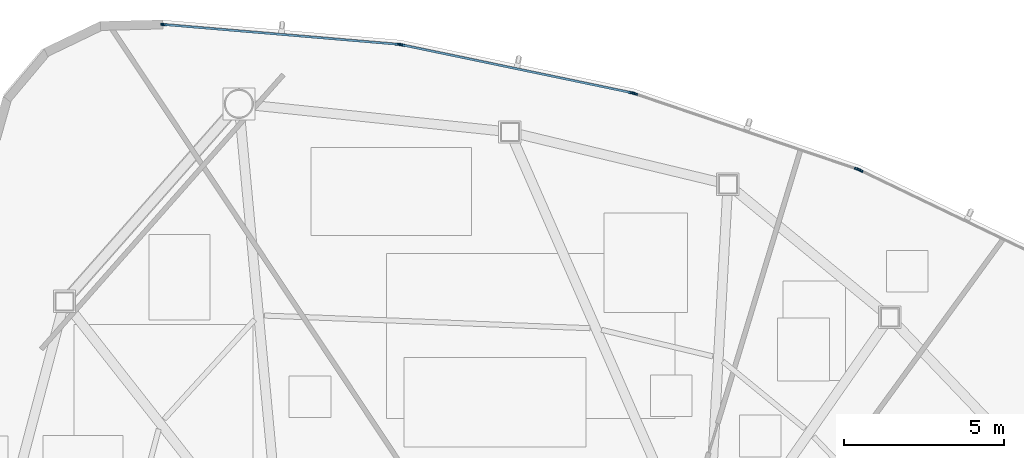
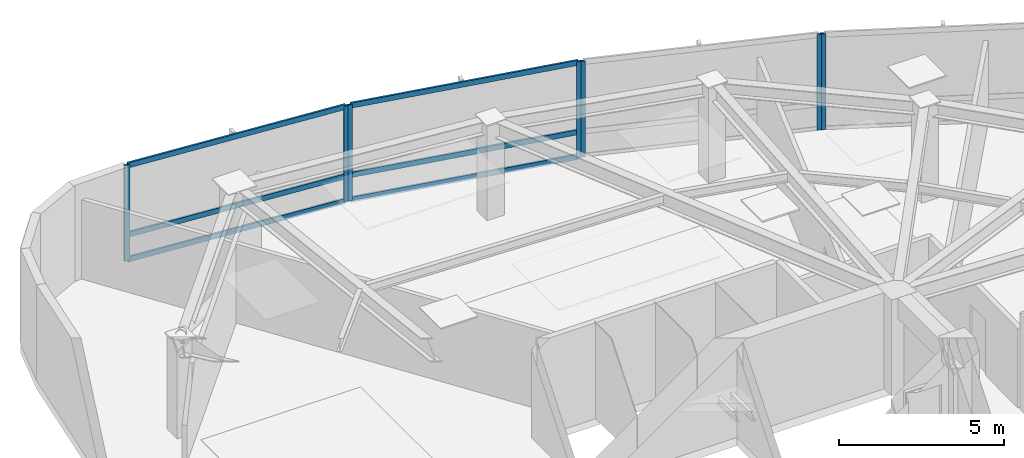
# One storey, part 8 of 17: 13 members, 4 elements without a shape of their own.
"""IFC4 building model written with IfcOpenShell, lengths in metres."""

from ifc_helpers import new_model, si_unit, direction, frame, origin, origin_2d, place, context, subcontext, project, spatial, hollow_rectangle, extrude, source, transform, mapped, material, layer, layer_set, material_profile, profile_set, type_object, type_shapes, element, aggregate, save


model = new_model("IFC4")

# Units and contexts
model_context = context("Model", 3, precision=1e-05, world=origin(), true_north=direction((0.0, 1.0)))
body_context = subcontext(model_context, "Body", "Model", "MODEL_VIEW")
ifc_project = project(units=[si_unit("LENGTHUNIT", "METRE"), si_unit("AREAUNIT", "SQUARE_METRE"), si_unit("VOLUMEUNIT", "CUBIC_METRE"), si_unit("PLANEANGLEUNIT", "RADIAN"), si_unit("MASSUNIT", "GRAM", prefix="KILO")], contexts=[model_context])

# Site, building, storey
site_placement = place(None, origin())
site = spatial("IfcSite", under=ifc_project, at=site_placement, CompositionType="ELEMENT")
building_placement = place(site_placement, origin())
building = spatial("IfcBuilding", under=site, at=building_placement, Name="Tavelor Broadcast Tower", CompositionType="ELEMENT")
storey_placement = place(building_placement, frame((0.0, 0.0, 192.60009765625)))
storey = spatial("IfcBuildingStorey", under=building, at=storey_placement, Name="L46", CompositionType="ELEMENT", Elevation=192.60009765625)

# Curtain wall, member
ifc_material = material(Name="Architectural Anodized Aluminium", Category="aluminium")
ifc_layer = layer(ifc_material, 0.18994140625)
ifc_layer_set = layer_set([ifc_layer], Name="Architectural Anodized Aluminium")
curtain_wall_type = type_object("IfcCurtainWallType", Name="Tower Mid-Zone Acoustic Curtain Wall CW03", PredefinedType="NOTDEFINED", material=ifc_layer_set)
curtain_wall_1_placement = place(storey_placement, origin())
curtain_wall_1 = element("IfcCurtainWall", 1, at=curtain_wall_1_placement, inside=storey, type_object=curtain_wall_type, Name="L46 Curtain Wall CW03 Run 501", PredefinedType="NOTDEFINED")
ifc_material_profile_1 = material_profile(ifc_material, hollow_rectangle(XDim=0.068115234375, YDim=0.18994140625, WallThickness=0.02197265625, at=origin_2d()), Name="RHS 68x190x22")
ifc_profile_set_1 = profile_set([ifc_material_profile_1], Name="Architectural Anodized Aluminium")
member_type_1 = type_object("IfcMemberType", Name="CW03 Extruded Aluminium Mullion 68x190", PredefinedType="MULLION", material=ifc_profile_set_1)
shared_shape_1 = source(origin(), body_context, "Body", "SweptSolid", [
    extrude(hollow_rectangle(XDim=0.068115234375, YDim=0.18994140625, WallThickness=0.02197265625, at=origin_2d()), origin(), (0.0, 0.0, 1.0), 3.5498046875),
])
type_shapes(member_type_1, [shared_shape_1])
member_1_placement = place(storey_placement, frame((61.408935546875, 64.005859375, 0.0), z_axis=(0.0, 0.0, 1.0), x_axis=(-0.433259707065, -0.90126911976, 0.0)))
member_1 = element("IfcMember", 2, at=member_1_placement, type_object=member_type_1, Name="CW03 mullion 2", PredefinedType="MULLION", context=body_context, shape_type="MappedRepresentation", body=[
    mapped(shared_shape_1, transform((0.0, 0.0, 0.0), scale=1.0)),
])
aggregate(curtain_wall_1, [member_1])

# Curtain wall, members
curtain_wall_2_placement = place(storey_placement, origin())
curtain_wall_2 = element("IfcCurtainWall", 3, at=curtain_wall_2_placement, inside=storey, type_object=curtain_wall_type, Name="L46 Curtain Wall CW03 Run 502", PredefinedType="NOTDEFINED")
member_2_placement = place(storey_placement, frame((61.318359375, 64.042724609375, 0.0), z_axis=(0.0, 0.0, 1.0), x_axis=(-0.321023476688, -0.947071236716, 0.0)))
member_2 = element("IfcMember", 4, at=member_2_placement, type_object=member_type_1, Name="CW03 mullion 1", PredefinedType="MULLION", context=body_context, shape_type="MappedRepresentation", body=[
    mapped(shared_shape_1, transform((0.0, 0.0, 0.0), scale=1.0)),
])
member_3_placement = place(storey_placement, frame((54.3681640625, 66.398681640625, 0.0), z_axis=(0.0, 0.0, 1.0), x_axis=(-0.321023476688, -0.947071236716, 0.0)))
member_3 = element("IfcMember", 5, at=member_3_placement, type_object=member_type_1, Name="CW03 mullion 2", PredefinedType="MULLION", context=body_context, shape_type="MappedRepresentation", body=[
    mapped(shared_shape_1, transform((0.0, 0.0, 0.0), scale=1.0)),
])
aggregate(curtain_wall_2, [member_2, member_3])

curtain_wall_3_placement = place(storey_placement, origin())
curtain_wall_3 = element("IfcCurtainWall", 6, at=curtain_wall_3_placement, inside=storey, type_object=curtain_wall_type, Name="L46 Curtain Wall CW03 Run 503", PredefinedType="NOTDEFINED")
member_4_placement = place(storey_placement, frame((54.27392578125, 66.42431640625, 0.0), z_axis=(0.0, 0.0, 1.0), x_axis=(-0.20405992765, -0.978958398466, 0.0)))
member_4 = element("IfcMember", 7, at=member_4_placement, type_object=member_type_1, Name="CW03 mullion 1", PredefinedType="MULLION", context=body_context, shape_type="MappedRepresentation", body=[
    mapped(shared_shape_1, transform((0.0, 0.0, 0.0), scale=1.0)),
])
member_5_placement = place(storey_placement, frame((47.089599609375, 67.921875, 0.0), z_axis=(0.0, 0.0, 1.0), x_axis=(-0.20405992765, -0.978958398466, 0.0)))
member_5 = element("IfcMember", 8, at=member_5_placement, type_object=member_type_1, Name="CW03 mullion 2", PredefinedType="MULLION", context=body_context, shape_type="MappedRepresentation", body=[
    mapped(shared_shape_1, transform((0.0, 0.0, 0.0), scale=1.0)),
])

curtain_wall_4_placement = place(storey_placement, origin())
curtain_wall_4 = element("IfcCurtainWall", 9, at=curtain_wall_4_placement, inside=storey, type_object=curtain_wall_type, Name="L46 Curtain Wall CW03 Run 504", PredefinedType="NOTDEFINED")
member_6_placement = place(storey_placement, frame((46.992919921875, 67.93603515625, 0.0), z_axis=(0.0, 0.0, 1.0), x_axis=(-0.084081230052, -0.996458903695, 0.0)))
member_6 = element("IfcMember", 10, at=member_6_placement, type_object=member_type_1, Name="CW03 mullion 1", PredefinedType="MULLION", context=body_context, shape_type="MappedRepresentation", body=[
    mapped(shared_shape_1, transform((0.0, 0.0, 0.0), scale=1.0)),
])
member_7_placement = place(storey_placement, frame((39.664306640625, 68.554443359375, 0.0), z_axis=(0.0, 0.0, 1.0), x_axis=(-0.084081230052, -0.996458903695, 0.0)))
member_7 = element("IfcMember", 11, at=member_7_placement, type_object=member_type_1, Name="CW03 mullion 2", PredefinedType="MULLION", context=body_context, shape_type="MappedRepresentation", body=[
    mapped(shared_shape_1, transform((0.0, 0.0, 0.0), scale=1.0)),
])

# Member
ifc_material_profile_2 = material_profile(ifc_material, hollow_rectangle(XDim=0.068115234375, YDim=0.18994140625, WallThickness=0.02197265625, at=origin_2d()), Name="RHS 68x190x22")
ifc_profile_set_2 = profile_set([ifc_material_profile_2], Name="Architectural Anodized Aluminium")
member_type_2 = type_object("IfcMemberType", Name="CW03 Extruded Aluminium Transom 68x190", PredefinedType="USERDEFINED", material=ifc_profile_set_2)
shared_shape_2 = source(origin(), body_context, "Body", "SweptSolid", [
    extrude(hollow_rectangle(XDim=0.068115234375, YDim=0.18994140625, WallThickness=0.02197265625, at=origin_2d()), origin(), (0.0, 0.0, 1.0), 7.270751953125),
])
member_8_placement = place(storey_placement, frame((54.240478515625, 66.431396484375, 0.033935546875), z_axis=(-0.978958624196, 0.204058844729, 0.0), x_axis=(-0.204058844729, -0.978958624196, 0.0)))
member_8 = element("IfcMember", 12, at=member_8_placement, type_object=member_type_2, Name="CW03 transom 1.1", ObjectType="TRANSOM", PredefinedType="USERDEFINED", context=body_context, shape_type="MappedRepresentation", body=[
    mapped(shared_shape_2, transform((0.0, 0.0, 0.0), scale=1.0)),
])

member_9_placement = place(storey_placement, frame((54.240478515625, 66.431396484375, 0.949951171875), z_axis=(-0.978958624196, 0.204058844729, 0.0), x_axis=(-0.204058844729, -0.978958624196, 0.0)))
member_9 = element("IfcMember", 13, at=member_9_placement, type_object=member_type_2, Name="CW03 transom 1.2", ObjectType="TRANSOM", PredefinedType="USERDEFINED", context=body_context, shape_type="MappedRepresentation", body=[
    mapped(shared_shape_2, transform((0.0, 0.0, 0.0), scale=1.0)),
])

member_10_placement = place(storey_placement, frame((54.240478515625, 66.431396484375, 3.515869140625), z_axis=(-0.978958624196, 0.204058844729, 0.0), x_axis=(-0.204058844729, -0.978958624196, 0.0)))
member_10 = element("IfcMember", 14, at=member_10_placement, type_object=member_type_2, Name="CW03 transom 1.3", ObjectType="TRANSOM", PredefinedType="USERDEFINED", context=body_context, shape_type="MappedRepresentation", body=[
    mapped(shared_shape_2, transform((0.0, 0.0, 0.0), scale=1.0)),
])

aggregate(curtain_wall_3, [member_4, member_5, member_8, member_9, member_10])

shared_shape_3 = source(origin(), body_context, "Body", "SweptSolid", [
    extrude(hollow_rectangle(XDim=0.068115234375, YDim=0.18994140625, WallThickness=0.02197265625, at=origin_2d()), origin(), (0.0, 0.0, 1.0), 7.28662109375),
])
type_shapes(member_type_2, [shared_shape_2, shared_shape_3])
member_11_placement = place(storey_placement, frame((46.958984375, 67.93896484375, 0.033935546875), z_axis=(-0.996460200595, 0.084065858887, 0.0), x_axis=(-0.084065858887, -0.996460200595, 0.0)))
member_11 = element("IfcMember", 15, at=member_11_placement, type_object=member_type_2, Name="CW03 transom 1.1", ObjectType="TRANSOM", PredefinedType="USERDEFINED", context=body_context, shape_type="MappedRepresentation", body=[
    mapped(shared_shape_3, transform((0.0, 0.0, 0.0), scale=1.0)),
])

member_12_placement = place(storey_placement, frame((46.958984375, 67.93896484375, 0.949951171875), z_axis=(-0.996460200595, 0.084065858887, 0.0), x_axis=(-0.084065858887, -0.996460200595, 0.0)))
member_12 = element("IfcMember", 16, at=member_12_placement, type_object=member_type_2, Name="CW03 transom 1.2", ObjectType="TRANSOM", PredefinedType="USERDEFINED", context=body_context, shape_type="MappedRepresentation", body=[
    mapped(shared_shape_3, transform((0.0, 0.0, 0.0), scale=1.0)),
])

member_13_placement = place(storey_placement, frame((46.958984375, 67.93896484375, 3.515869140625), z_axis=(-0.996460200595, 0.084065858887, 0.0), x_axis=(-0.084065858887, -0.996460200595, 0.0)))
member_13 = element("IfcMember", 17, at=member_13_placement, type_object=member_type_2, Name="CW03 transom 1.3", ObjectType="TRANSOM", PredefinedType="USERDEFINED", context=body_context, shape_type="MappedRepresentation", body=[
    mapped(shared_shape_3, transform((0.0, 0.0, 0.0), scale=1.0)),
])

aggregate(curtain_wall_4, [member_6, member_7, member_11, member_12, member_13])

save(model, "model.ifc")
